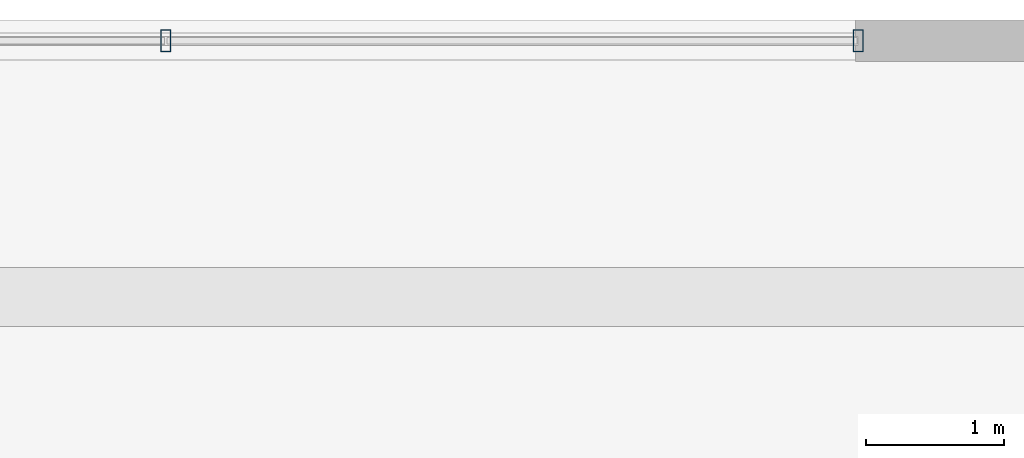
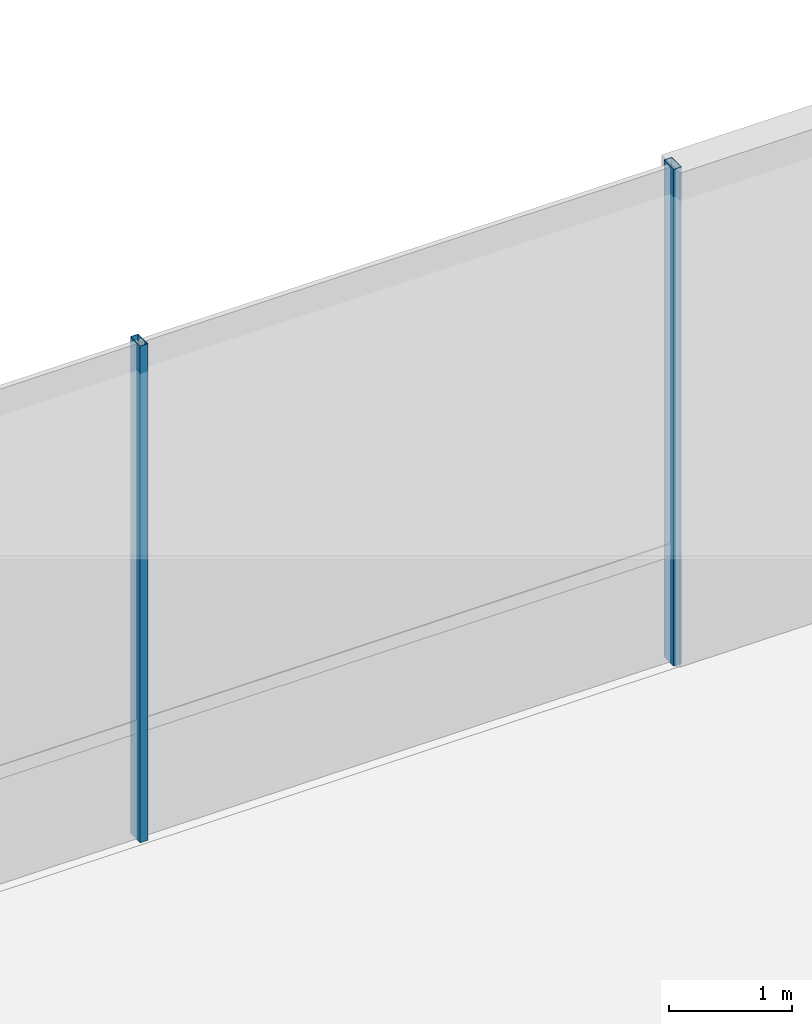
# One storey, part 18 of 39: 2 members, 1 element without a shape of its own.
"""IFC4 building model written with IfcOpenShell, lengths in metres."""

from ifc_helpers import new_model, si_unit, direction, frame, origin, origin_2d, place, context, subcontext, project, spatial, hollow_rectangle, extrude, source, transform, mapped, material, material_profile, profile_set, type_object, element, aggregate, save


model = new_model("IFC4")

# Units and contexts
model_context = context("Model", 3, precision=1e-05, world=origin(), true_north=direction((0.0, 1.0)))
body_context = subcontext(model_context, "Body", "Model", "MODEL_VIEW")
ifc_project = project(units=[si_unit("LENGTHUNIT", "METRE"), si_unit("AREAUNIT", "SQUARE_METRE"), si_unit("VOLUMEUNIT", "CUBIC_METRE"), si_unit("PLANEANGLEUNIT", "RADIAN"), si_unit("MASSUNIT", "GRAM", prefix="KILO")], contexts=[model_context])

# Site, building, storey
site_placement = place(None, origin())
site = spatial("IfcSite", under=ifc_project, at=site_placement, CompositionType="ELEMENT")
building_placement = place(site_placement, origin())
building = spatial("IfcBuilding", under=site, at=building_placement, Name="Valdorenza Pilgrim Sanctuary Tower", CompositionType="ELEMENT")
storey_placement = place(building_placement, frame((0.0, 0.0, 10.39990234375)))
storey = spatial("IfcBuildingStorey", under=building, at=storey_placement, Name="L02", CompositionType="ELEMENT", Elevation=10.39990234375)

# Curtain wall, members
ifc_material_1 = material(Name="Curtain-wall IGU glazing", Category="glass")
curtain_wall_type = type_object("IfcCurtainWallType", Name="CW-SYS-01", PredefinedType="NOTDEFINED", material=ifc_material_1)
curtain_wall_placement = place(storey_placement, origin())
curtain_wall = element("IfcCurtainWall", 1, at=curtain_wall_placement, inside=storey, type_object=curtain_wall_type, Name="L02 Curtain Wall CW-POD-L02-NN", PredefinedType="NOTDEFINED")
ifc_material_2 = material(Name="Anodised aluminium AW-6060", Category="aluminium")
ifc_material_profile = material_profile(ifc_material_2, hollow_rectangle(XDim=0.074951171875, YDim=0.159912109375, WallThickness=0.00390625, at=origin_2d()), Name="ALU-M 160x75x4")
ifc_profile_set = profile_set([ifc_material_profile], Name="Anodised aluminium AW-6060")
member_type = type_object("IfcMemberType", Name="CW-MUL-01", PredefinedType="MULLION", material=ifc_profile_set)
shared_shape = source(origin(), body_context, "Body", "SweptSolid", [
    extrude(hollow_rectangle(XDim=0.074951171875, YDim=0.159912109375, WallThickness=0.00390625, at=origin_2d()), origin(), (0.0, 0.0, 1.0), 4.920166015625),
])
member_1_placement = place(storey_placement, frame((5.0, 22.85009765625, 0.0), z_axis=(0.0, 0.0, 1.0), x_axis=(1.0, 0.0, 0.0)))
member_1 = element("IfcMember", 2, at=member_1_placement, type_object=member_type, Name="CW-POD-L02-NN Mullion 4", PredefinedType="MULLION", context=body_context, shape_type="MappedRepresentation", body=[
    mapped(shared_shape, transform((0.0, 0.0, 0.0), x_axis=(1.0, 0.0, 0.0), y_axis=(0.0, 1.0, 0.0), z_axis=(0.0, 0.0, 1.0), scale=1.0)),
])
member_2_placement = place(storey_placement, frame((10.0, 22.85009765625, 0.0), z_axis=(0.0, 0.0, 1.0), x_axis=(1.0, 0.0, 0.0)))
member_2 = element("IfcMember", 3, at=member_2_placement, type_object=member_type, Name="CW-POD-L02-NN Mullion 5", PredefinedType="MULLION", context=body_context, shape_type="MappedRepresentation", body=[
    mapped(shared_shape, transform((0.0, 0.0, 0.0), x_axis=(1.0, 0.0, 0.0), y_axis=(0.0, 1.0, 0.0), z_axis=(0.0, 0.0, 1.0), scale=1.0)),
])
aggregate(curtain_wall, [member_1, member_2])

save(model, "model.ifc")
